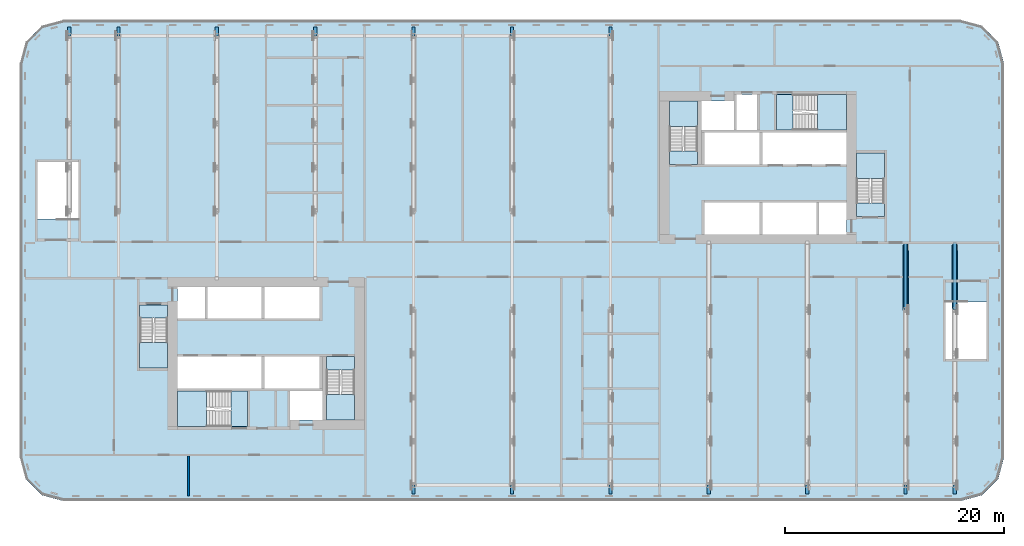
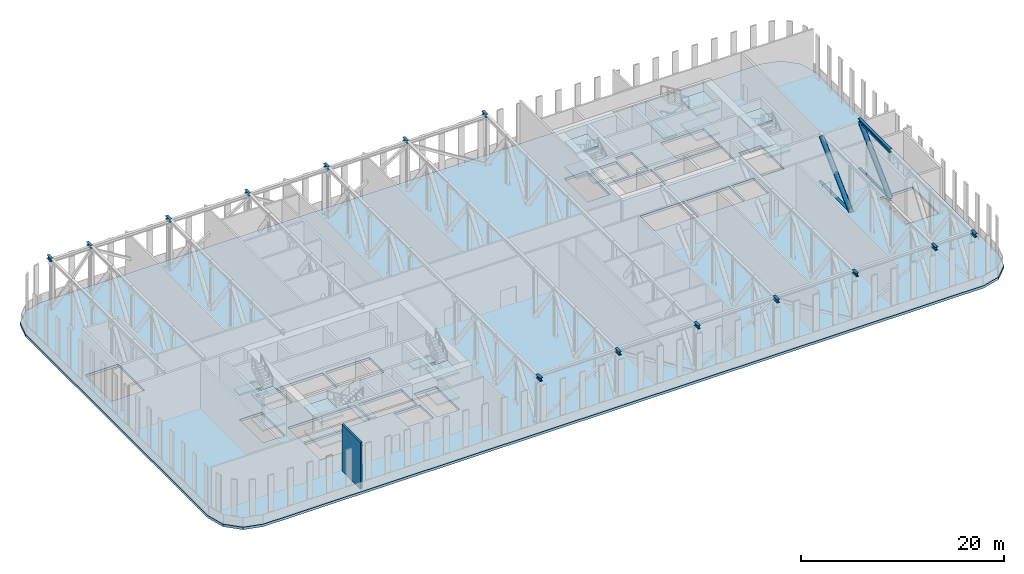
# One storey, part 5 of 26: 19 members, 19 slabs, 1 wall, 6 elements without a shape of their own.
"""IFC4 building model written with IfcOpenShell, lengths in metres."""

from ifc_helpers import new_model, si_unit, direction, frame, frame_2d, origin, origin_2d, place, context, subcontext, project, spatial, polyline, rectangle, hollow_circle, i_section, outline, extrude, material, layer, layer_set, material_profile, profile_set, type_object, element, aggregate, save


model = new_model("IFC4")

# Units and contexts
model_context = context("Model", 3, precision=1e-05, world=origin(), true_north=direction((0.0, 1.0)))
body_context = subcontext(model_context, "Body", "Model", "MODEL_VIEW")
ifc_project = project(units=[si_unit("LENGTHUNIT", "METRE"), si_unit("AREAUNIT", "SQUARE_METRE"), si_unit("VOLUMEUNIT", "CUBIC_METRE"), si_unit("PLANEANGLEUNIT", "RADIAN"), si_unit("MASSUNIT", "GRAM", prefix="KILO")], contexts=[model_context])

# Site, building, storey
site_placement = place(None, origin())
site = spatial("IfcSite", under=ifc_project, at=site_placement, CompositionType="ELEMENT")
building_placement = place(site_placement, origin())
building = spatial("IfcBuilding", under=site, at=building_placement, Name="Kajstack Hotel Tower", CompositionType="ELEMENT")
storey_placement = place(building_placement, frame((0.0, 0.0, 47.0)))
storey = spatial("IfcBuildingStorey", under=building, at=storey_placement, Name="L07", CompositionType="ELEMENT", Elevation=47.0)

# Members
ifc_material_1 = material(Name="Steel S355J2", Category="steel")
ifc_material_profile_1 = material_profile(ifc_material_1, i_section(OverallWidth=0.300048828125, OverallDepth=0.300048828125, WebThickness=0.010986328125, FlangeThickness=0.01904296875, FilletRadius=0.027099609375, at=origin_2d()), Name="HEB 300")
ifc_profile_set_1 = profile_set([ifc_material_profile_1], Name="Steel S355J2")
member_type_1 = type_object("IfcMemberType", Name="Transfer truss bottom chord BC1 HEB 300", PredefinedType="CHORD", material=ifc_profile_set_1)
for number, where, z_axis, x_axis, name in (
    (1, (36.0, -4.5, -0.14990234375), (0.0, 1.0, 0.0), (-1.0, 0.0, 0.0), "S-transfer-truss-L07-+36p0-1-bc11"),
    (2, (40.5, -4.5, -0.14990234375), (0.0, 1.0, 0.0), (-1.0, 0.0, 0.0), "S-transfer-truss-L07-+40p5-1-bc11"),
):
    element("IfcMember", number, at=place(storey_placement, frame(where, z_axis=z_axis, x_axis=x_axis)), inside=storey, type_object=member_type_1, Name=name, PredefinedType="CHORD", context=body_context, shape_type="SweptSolid", body=[
        extrude(i_section(OverallWidth=0.300048828125, OverallDepth=0.300048828125, WebThickness=0.010986328125, FlangeThickness=0.01904296875, FilletRadius=0.027099609375, at=origin_2d()), origin(), (0.0, 0.0, 1.0), 6.14990234375),
    ])
ifc_material_profile_2 = material_profile(ifc_material_1, hollow_circle(Radius=0.25390625, WallThickness=0.02490234375, at=origin_2d()), Name="CHS 508x25")
ifc_profile_set_2 = profile_set([ifc_material_profile_2], Name="Steel S355J2")
member_type_2 = type_object("IfcMemberType", Name="Transfer truss diagonal DG1 CHS 508x25", PredefinedType="BRACE", material=ifc_profile_set_2)
for number, where, z_axis, x_axis, name in (
    (3, (36.0, -4.5, 0.0), (0.0, 0.722373369749, 0.691503228249), (-1.0, 0.0, 0.0), "S-transfer-truss-L07-+36p0-1-dg21"),
    (4, (40.5, -4.5, 0.0), (0.0, 0.722373369749, 0.691503228249), (-1.0, 0.0, 0.0), "S-transfer-truss-L07-+40p5-1-dg21"),
):
    element("IfcMember", number, at=place(storey_placement, frame(where, z_axis=z_axis, x_axis=x_axis)), inside=storey, type_object=member_type_2, Name=name, PredefinedType="BRACE", context=body_context, shape_type="SweptSolid", body=[
        extrude(hollow_circle(Radius=0.25390625, WallThickness=0.02490234375, at=origin_2d()), origin(), (0.0, 0.0, 1.0), 8.098388671875),
    ])
ifc_material_profile_3 = material_profile(ifc_material_1, i_section(OverallWidth=0.300048828125, OverallDepth=0.39990234375, WebThickness=0.013427734375, FlangeThickness=0.02392578125, FilletRadius=0.027099609375, at=origin_2d()), Name="HEB 400")
ifc_profile_set_3 = profile_set([ifc_material_profile_3], Name="Steel S355J2")
member_type_3 = type_object("IfcMemberType", Name="Transfer truss top chord TC1 HEB 400", PredefinedType="CHORD", material=ifc_profile_set_3)
for number, where, z_axis, x_axis, name in (
    (5, (-40.5, 20.550048828125, 5.800048828125), (0.0, 1.0, 0.0), (-1.0, 0.0, 0.0), "S-transfer-truss-L07--40p5-1-tc6"),
    (6, (-36.0, 20.550048828125, 5.800048828125), (0.0, 1.0, 0.0), (-1.0, 0.0, 0.0), "S-transfer-truss-L07--36p0-1-tc6"),
    (7, (-27.0, 20.550048828125, 5.800048828125), (0.0, 1.0, 0.0), (-1.0, 0.0, 0.0), "S-outrigger-truss-L07--27p0-1-tc6"),
    (8, (-18.0, 20.550048828125, 5.800048828125), (0.0, 1.0, 0.0), (-1.0, 0.0, 0.0), "S-outrigger-truss-L07--18p0-1-tc6"),
    (9, (-9.0, -21.35009765625, 5.800048828125), (0.0, 1.0, 0.0), (-1.0, 0.0, 0.0), "S-transfer-truss-L07--9p0-1-tc1"),
    (10, (-9.0, 20.550048828125, 5.800048828125), (0.0, 1.0, 0.0), (-1.0, 0.0, 0.0), "S-transfer-truss-L07--9p0-1-tc11"),
    (11, (0.0, -21.35009765625, 5.800048828125), (0.0, 1.0, 0.0), (-1.0, 0.0, 0.0), "S-transfer-truss-L07-+0p0-1-tc1"),
    (12, (0.0, 20.550048828125, 5.800048828125), (0.0, 1.0, 0.0), (-1.0, 0.0, 0.0), "S-transfer-truss-L07-+0p0-1-tc11"),
    (13, (9.0, -21.35009765625, 5.800048828125), (0.0, 1.0, 0.0), (-1.0, 0.0, 0.0), "S-transfer-truss-L07-+9p0-1-tc1"),
    (14, (9.0, 20.550048828125, 5.800048828125), (0.0, 1.0, 0.0), (-1.0, 0.0, 0.0), "S-transfer-truss-L07-+9p0-1-tc11"),
    (15, (18.0, -21.35009765625, 5.800048828125), (0.0, 1.0, 0.0), (-1.0, 0.0, 0.0), "S-outrigger-truss-L07-+18p0-1-tc1"),
    (16, (27.0, -21.35009765625, 5.800048828125), (0.0, 1.0, 0.0), (-1.0, 0.0, 0.0), "S-outrigger-truss-L07-+27p0-1-tc1"),
    (17, (36.0, -21.35009765625, 5.800048828125), (0.0, 1.0, 0.0), (-1.0, 0.0, 0.0), "S-transfer-truss-L07-+36p0-1-tc1"),
    (18, (40.5, -21.35009765625, 5.800048828125), (0.0, 1.0, 0.0), (-1.0, 0.0, 0.0), "S-transfer-truss-L07-+40p5-1-tc1"),
):
    element("IfcMember", number, at=place(storey_placement, frame(where, z_axis=z_axis, x_axis=x_axis)), inside=storey, type_object=member_type_3, Name=name, PredefinedType="CHORD", context=body_context, shape_type="SweptSolid", body=[
        extrude(i_section(OverallWidth=0.300048828125, OverallDepth=0.39990234375, WebThickness=0.013427734375, FlangeThickness=0.02392578125, FilletRadius=0.027099609375, at=origin_2d()), origin(), (0.0, 0.0, 1.0), 0.800048828125),
    ])
member_placement = place(storey_placement, frame((40.5, -4.5, 5.800048828125), z_axis=(0.0, 1.0, 0.0), x_axis=(-1.0, 0.0, 0.0)))
element("IfcMember", 19, at=member_placement, inside=storey, type_object=member_type_3, Name="S-transfer-truss-L07-+40p5-1-tc6", PredefinedType="CHORD", context=body_context, shape_type="SweptSolid", body=[
    extrude(i_section(OverallWidth=0.300048828125, OverallDepth=0.39990234375, WebThickness=0.013427734375, FlangeThickness=0.02392578125, FilletRadius=0.027099609375, at=origin_2d()), origin(), (0.0, 0.0, 1.0), 6.14990234375),
])

# Slab
ifc_material_2 = material(Name="Concrete C50/60", Category="concrete")
ifc_layer_1 = layer(ifc_material_2, 0.300048828125)
ifc_layer_set_1 = layer_set([ifc_layer_1], Name="RC slab 300 C50/60 band")
slab_type_1 = type_object("IfcSlabType", Name="RC slab 300 C50/60 band", PredefinedType="FLOOR", material=ifc_layer_set_1)
slab_1_placement = place(storey_placement, frame((0.0, 0.0, -0.300048828125)))
element("IfcSlab", 20, at=slab_1_placement, inside=storey, type_object=slab_type_1, Name="S-slab-L07", PredefinedType="FLOOR", context=body_context, shape_type="SweptSolid", body=[
    extrude(outline(polyline([(-45.0, -18.0), (-44.464111328125, -20.0), (-43.0, -21.464111328125), (-41.0, -22.0), (41.0, -22.0), (43.0, -21.464111328125), (44.464111328125, -20.0), (45.0, -18.0), (45.0, 18.0), (44.464111328125, 20.0), (43.0, 21.464111328125), (41.0, 22.0), (-41.0, 22.0), (-43.0, 21.464111328125), (-44.464111328125, 20.0), (-45.0, 18.0), (-45.0, -18.0)]), holes=[polyline([(-30.60009765625, -11.699951171875), (-30.60009765625, -8.800048828125), (-22.89990234375, -8.800048828125), (-22.89990234375, -11.699951171875), (-30.60009765625, -11.699951171875)]), polyline([(-22.64990234375, -11.699951171875), (-22.64990234375, -8.800048828125), (-17.60009765625, -8.800048828125), (-17.60009765625, -11.699951171875), (-22.64990234375, -11.699951171875)]), polyline([(-27.85009765625, -5.300048828125), (-27.85009765625, -2.39990234375), (-22.89990234375, -2.39990234375), (-22.89990234375, -5.300048828125), (-27.85009765625, -5.300048828125)]), polyline([(-22.64990234375, -5.300048828125), (-22.64990234375, -2.39990234375), (-17.60009765625, -2.39990234375), (-17.60009765625, -5.300048828125), (-22.64990234375, -5.300048828125)]), polyline([(-20.300048828125, -14.60009765625), (-17.35009765625, -14.60009765625), (-17.35009765625, -11.949951171875), (-20.300048828125, -11.949951171875), (-20.300048828125, -14.60009765625)]), polyline([(-30.60009765625, -5.300048828125), (-28.10009765625, -5.300048828125), (-28.10009765625, -2.39990234375), (-30.60009765625, -2.39990234375), (-30.60009765625, -5.300048828125)]), polyline([(22.89990234375, 8.800048828125), (22.89990234375, 11.699951171875), (30.60009765625, 11.699951171875), (30.60009765625, 8.800048828125), (22.89990234375, 8.800048828125)]), polyline([(17.60009765625, 8.800048828125), (17.60009765625, 11.699951171875), (22.64990234375, 11.699951171875), (22.64990234375, 8.800048828125), (17.60009765625, 8.800048828125)]), polyline([(22.89990234375, 2.39990234375), (22.89990234375, 5.300048828125), (27.85009765625, 5.300048828125), (27.85009765625, 2.39990234375), (22.89990234375, 2.39990234375)]), polyline([(17.60009765625, 2.39990234375), (17.60009765625, 5.300048828125), (22.64990234375, 5.300048828125), (22.64990234375, 2.39990234375), (17.60009765625, 2.39990234375)]), polyline([(20.300048828125, 14.60009765625), (17.35009765625, 14.60009765625), (17.35009765625, 11.949951171875), (20.300048828125, 11.949951171875), (20.300048828125, 14.60009765625)]), polyline([(30.60009765625, 5.300048828125), (28.10009765625, 5.300048828125), (28.10009765625, 2.39990234375), (30.60009765625, 2.39990234375), (30.60009765625, 5.300048828125)]), polyline([(-34.050048828125, -9.85009765625), (-31.5, -9.85009765625), (-31.5, -5.25), (-34.050048828125, -5.25), (-34.050048828125, -9.85009765625)]), polyline([(-16.949951171875, -14.60009765625), (-14.39990234375, -14.60009765625), (-14.39990234375, -10.0), (-16.949951171875, -10.0), (-16.949951171875, -14.60009765625)]), polyline([(-30.60009765625, -15.199951171875), (-25.699951171875, -15.199951171875), (-25.699951171875, -11.949951171875), (-30.60009765625, -11.949951171875), (-30.60009765625, -15.199951171875)]), polyline([(34.050048828125, 9.85009765625), (31.5, 9.85009765625), (31.5, 5.25), (34.050048828125, 5.25), (34.050048828125, 9.85009765625)]), polyline([(16.949951171875, 14.60009765625), (14.39990234375, 14.60009765625), (14.39990234375, 10.0), (16.949951171875, 10.0), (16.949951171875, 14.60009765625)]), polyline([(30.60009765625, 15.199951171875), (25.699951171875, 15.199951171875), (25.699951171875, 11.949951171875), (30.60009765625, 11.949951171875), (30.60009765625, 15.199951171875)]), polyline([(-43.39990234375, 3.800048828125), (-39.64990234375, 3.800048828125), (-39.64990234375, 9.0), (-43.39990234375, 9.0), (-43.39990234375, 3.800048828125)]), polyline([(39.64990234375, -9.0), (43.39990234375, -9.0), (43.39990234375, -3.800048828125), (39.64990234375, -3.800048828125), (39.64990234375, -9.0)]), polyline([(22.425048828125, 15.199951171875), (22.425048828125, 11.949951171875), (20.550048828125, 11.949951171875), (20.550048828125, 15.199951171875), (22.425048828125, 15.199951171875)])]), origin(), (0.0, 0.0, 1.0), 0.300048828125),
])

# Stair, slabs
ifc_material_3 = material(Name="Concrete C40/50", Category="concrete")
stair_type_1 = type_object("IfcStairType", Name="Exit stair 1200", PredefinedType="HALF_TURN_STAIR", material=ifc_material_3)
stair_1_placement = place(storey_placement, origin())
stair_1 = element("IfcStair", 21, at=stair_1_placement, inside=storey, type_object=stair_type_1, Name="L07 stair W1", PredefinedType="HALF_TURN_STAIR")
ifc_layer_2 = layer(ifc_material_3, 0.199951171875)
ifc_layer_set_2 = layer_set([ifc_layer_2], Name="Stair landing 200")
slab_type_2 = type_object("IfcSlabType", Name="Stair landing 200", PredefinedType="LANDING", material=ifc_layer_set_2)
slab_2_placement = place(storey_placement, frame((0.0, 0.0, 1.300048828125)))
slab_2 = element("IfcSlab", 22, at=slab_2_placement, type_object=slab_type_2, Name="W1 landing 1", PredefinedType="LANDING", context=body_context, shape_type="SweptSolid", body=[
    extrude(outline(polyline([(-34.050048828125, -7.489990234375), (-34.050048828125, -9.85009765625), (-31.5, -9.85009765625), (-31.5, -7.489990234375), (-34.050048828125, -7.489990234375)])), origin(), (0.0, 0.0, 1.0), 0.199951171875),
])
slab_3_placement = place(storey_placement, frame((0.0, 0.0, 2.800048828125)))
slab_3 = element("IfcSlab", 23, at=slab_3_placement, type_object=slab_type_2, Name="W1 landing 2", PredefinedType="LANDING", context=body_context, shape_type="SweptSolid", body=[
    extrude(outline(polyline([(-34.050048828125, -4.050048828125), (-34.050048828125, -5.25), (-31.5, -5.25), (-31.5, -4.050048828125), (-34.050048828125, -4.050048828125)])), origin(), (0.0, 0.0, 1.0), 0.199951171875),
])
slab_4_placement = place(storey_placement, frame((0.0, 0.0, 4.300048828125)))
slab_4 = element("IfcSlab", 24, at=slab_4_placement, type_object=slab_type_2, Name="W1 landing 3", PredefinedType="LANDING", context=body_context, shape_type="SweptSolid", body=[
    extrude(outline(polyline([(-34.050048828125, -7.489990234375), (-34.050048828125, -9.85009765625), (-31.5, -9.85009765625), (-31.5, -7.489990234375), (-34.050048828125, -7.489990234375)])), origin(), (0.0, 0.0, 1.0), 0.199951171875),
])
aggregate(stair_1, [slab_2, slab_3, slab_4])

stair_2_placement = place(storey_placement, origin())
stair_2 = element("IfcStair", 25, at=stair_2_placement, inside=storey, type_object=stair_type_1, Name="L07 stair W2", PredefinedType="HALF_TURN_STAIR")
slab_5_placement = place(storey_placement, frame((0.0, 0.0, 1.300048828125)))
slab_5 = element("IfcSlab", 26, at=slab_5_placement, type_object=slab_type_2, Name="W2 landing 1", PredefinedType="LANDING", context=body_context, shape_type="SweptSolid", body=[
    extrude(outline(polyline([(-16.949951171875, -12.239990234375), (-16.949951171875, -14.60009765625), (-14.39990234375, -14.60009765625), (-14.39990234375, -12.239990234375), (-16.949951171875, -12.239990234375)])), origin(), (0.0, 0.0, 1.0), 0.199951171875),
])
slab_6_placement = place(storey_placement, frame((0.0, 0.0, 2.800048828125)))
slab_6 = element("IfcSlab", 27, at=slab_6_placement, type_object=slab_type_2, Name="W2 landing 2", PredefinedType="LANDING", context=body_context, shape_type="SweptSolid", body=[
    extrude(outline(polyline([(-16.949951171875, -8.800048828125), (-16.949951171875, -10.0), (-14.39990234375, -10.0), (-14.39990234375, -8.800048828125), (-16.949951171875, -8.800048828125)])), origin(), (0.0, 0.0, 1.0), 0.199951171875),
])
slab_7_placement = place(storey_placement, frame((0.0, 0.0, 4.300048828125)))
slab_7 = element("IfcSlab", 28, at=slab_7_placement, type_object=slab_type_2, Name="W2 landing 3", PredefinedType="LANDING", context=body_context, shape_type="SweptSolid", body=[
    extrude(outline(polyline([(-16.949951171875, -12.239990234375), (-16.949951171875, -14.60009765625), (-14.39990234375, -14.60009765625), (-14.39990234375, -12.239990234375), (-16.949951171875, -12.239990234375)])), origin(), (0.0, 0.0, 1.0), 0.199951171875),
])
aggregate(stair_2, [slab_5, slab_6, slab_7])

stair_type_2 = type_object("IfcStairType", Name="Exit stair 1500", PredefinedType="HALF_TURN_STAIR", material=ifc_material_3)
stair_3_placement = place(storey_placement, origin())
stair_3 = element("IfcStair", 29, at=stair_3_placement, inside=storey, type_object=stair_type_2, Name="L07 stair W3", PredefinedType="HALF_TURN_STAIR")
slab_8_placement = place(storey_placement, frame((0.0, 0.0, 1.300048828125)))
slab_8 = element("IfcSlab", 30, at=slab_8_placement, type_object=slab_type_2, Name="W3 landing 1", PredefinedType="LANDING", context=body_context, shape_type="SweptSolid", body=[
    extrude(outline(polyline([(-27.93994140625, -11.949951171875), (-30.60009765625, -11.949951171875), (-30.60009765625, -15.199951171875), (-27.93994140625, -15.199951171875), (-27.93994140625, -11.949951171875)])), origin(), (0.0, 0.0, 1.0), 0.199951171875),
])
slab_9_placement = place(storey_placement, frame((0.0, 0.0, 2.800048828125)))
slab_9 = element("IfcSlab", 31, at=slab_9_placement, type_object=slab_type_2, Name="W3 landing 2", PredefinedType="LANDING", context=body_context, shape_type="SweptSolid", body=[
    extrude(outline(polyline([(-24.199951171875, -11.949951171875), (-25.699951171875, -11.949951171875), (-25.699951171875, -15.199951171875), (-24.199951171875, -15.199951171875), (-24.199951171875, -11.949951171875)])), origin(), (0.0, 0.0, 1.0), 0.199951171875),
])
slab_10_placement = place(storey_placement, frame((0.0, 0.0, 4.300048828125)))
slab_10 = element("IfcSlab", 32, at=slab_10_placement, type_object=slab_type_2, Name="W3 landing 3", PredefinedType="LANDING", context=body_context, shape_type="SweptSolid", body=[
    extrude(outline(polyline([(-27.93994140625, -11.949951171875), (-30.60009765625, -11.949951171875), (-30.60009765625, -15.199951171875), (-27.93994140625, -15.199951171875), (-27.93994140625, -11.949951171875)])), origin(), (0.0, 0.0, 1.0), 0.199951171875),
])
aggregate(stair_3, [slab_8, slab_9, slab_10])

stair_4_placement = place(storey_placement, origin())
stair_4 = element("IfcStair", 33, at=stair_4_placement, inside=storey, type_object=stair_type_1, Name="L07 stair E1", PredefinedType="HALF_TURN_STAIR")
slab_11_placement = place(storey_placement, frame((0.0, 0.0, 1.300048828125)))
slab_11 = element("IfcSlab", 34, at=slab_11_placement, type_object=slab_type_2, Name="E1 landing 1", PredefinedType="LANDING", context=body_context, shape_type="SweptSolid", body=[
    extrude(outline(polyline([(34.050048828125, 7.489990234375), (34.050048828125, 9.85009765625), (31.5, 9.85009765625), (31.5, 7.489990234375), (34.050048828125, 7.489990234375)])), origin(), (0.0, 0.0, 1.0), 0.199951171875),
])
slab_12_placement = place(storey_placement, frame((0.0, 0.0, 2.800048828125)))
slab_12 = element("IfcSlab", 35, at=slab_12_placement, type_object=slab_type_2, Name="E1 landing 2", PredefinedType="LANDING", context=body_context, shape_type="SweptSolid", body=[
    extrude(outline(polyline([(34.050048828125, 4.050048828125), (34.050048828125, 5.25), (31.5, 5.25), (31.5, 4.050048828125), (34.050048828125, 4.050048828125)])), origin(), (0.0, 0.0, 1.0), 0.199951171875),
])
slab_13_placement = place(storey_placement, frame((0.0, 0.0, 4.300048828125)))
slab_13 = element("IfcSlab", 36, at=slab_13_placement, type_object=slab_type_2, Name="E1 landing 3", PredefinedType="LANDING", context=body_context, shape_type="SweptSolid", body=[
    extrude(outline(polyline([(34.050048828125, 7.489990234375), (34.050048828125, 9.85009765625), (31.5, 9.85009765625), (31.5, 7.489990234375), (34.050048828125, 7.489990234375)])), origin(), (0.0, 0.0, 1.0), 0.199951171875),
])
aggregate(stair_4, [slab_11, slab_12, slab_13])

stair_5_placement = place(storey_placement, origin())
stair_5 = element("IfcStair", 37, at=stair_5_placement, inside=storey, type_object=stair_type_1, Name="L07 stair E2", PredefinedType="HALF_TURN_STAIR")
slab_14_placement = place(storey_placement, frame((0.0, 0.0, 1.300048828125)))
slab_14 = element("IfcSlab", 38, at=slab_14_placement, type_object=slab_type_2, Name="E2 landing 1", PredefinedType="LANDING", context=body_context, shape_type="SweptSolid", body=[
    extrude(outline(polyline([(16.949951171875, 12.239990234375), (16.949951171875, 14.60009765625), (14.39990234375, 14.60009765625), (14.39990234375, 12.239990234375), (16.949951171875, 12.239990234375)])), origin(), (0.0, 0.0, 1.0), 0.199951171875),
])
slab_15_placement = place(storey_placement, frame((0.0, 0.0, 2.800048828125)))
slab_15 = element("IfcSlab", 39, at=slab_15_placement, type_object=slab_type_2, Name="E2 landing 2", PredefinedType="LANDING", context=body_context, shape_type="SweptSolid", body=[
    extrude(outline(polyline([(16.949951171875, 8.800048828125), (16.949951171875, 10.0), (14.39990234375, 10.0), (14.39990234375, 8.800048828125), (16.949951171875, 8.800048828125)])), origin(), (0.0, 0.0, 1.0), 0.199951171875),
])
slab_16_placement = place(storey_placement, frame((0.0, 0.0, 4.300048828125)))
slab_16 = element("IfcSlab", 40, at=slab_16_placement, type_object=slab_type_2, Name="E2 landing 3", PredefinedType="LANDING", context=body_context, shape_type="SweptSolid", body=[
    extrude(outline(polyline([(16.949951171875, 12.239990234375), (16.949951171875, 14.60009765625), (14.39990234375, 14.60009765625), (14.39990234375, 12.239990234375), (16.949951171875, 12.239990234375)])), origin(), (0.0, 0.0, 1.0), 0.199951171875),
])
aggregate(stair_5, [slab_14, slab_15, slab_16])

stair_6_placement = place(storey_placement, origin())
stair_6 = element("IfcStair", 41, at=stair_6_placement, inside=storey, type_object=stair_type_2, Name="L07 stair E3", PredefinedType="HALF_TURN_STAIR")
slab_17_placement = place(storey_placement, frame((0.0, 0.0, 1.300048828125)))
slab_17 = element("IfcSlab", 42, at=slab_17_placement, type_object=slab_type_2, Name="E3 landing 1", PredefinedType="LANDING", context=body_context, shape_type="SweptSolid", body=[
    extrude(outline(polyline([(27.93994140625, 11.949951171875), (30.60009765625, 11.949951171875), (30.60009765625, 15.199951171875), (27.93994140625, 15.199951171875), (27.93994140625, 11.949951171875)])), origin(), (0.0, 0.0, 1.0), 0.199951171875),
])
slab_18_placement = place(storey_placement, frame((0.0, 0.0, 2.800048828125)))
slab_18 = element("IfcSlab", 43, at=slab_18_placement, type_object=slab_type_2, Name="E3 landing 2", PredefinedType="LANDING", context=body_context, shape_type="SweptSolid", body=[
    extrude(outline(polyline([(24.199951171875, 11.949951171875), (25.699951171875, 11.949951171875), (25.699951171875, 15.199951171875), (24.199951171875, 15.199951171875), (24.199951171875, 11.949951171875)])), origin(), (0.0, 0.0, 1.0), 0.199951171875),
])
slab_19_placement = place(storey_placement, frame((0.0, 0.0, 4.300048828125)))
slab_19 = element("IfcSlab", 44, at=slab_19_placement, type_object=slab_type_2, Name="E3 landing 3", PredefinedType="LANDING", context=body_context, shape_type="SweptSolid", body=[
    extrude(outline(polyline([(27.93994140625, 11.949951171875), (30.60009765625, 11.949951171875), (30.60009765625, 15.199951171875), (27.93994140625, 15.199951171875), (27.93994140625, 11.949951171875)])), origin(), (0.0, 0.0, 1.0), 0.199951171875),
])
aggregate(stair_6, [slab_17, slab_18, slab_19])

# Wall
ifc_material_4 = material(Name="Gypsum board on steel studs, mineral wool", Category="steel")
ifc_layer_3 = layer(ifc_material_4, 0.199951171875)
ifc_layer_set_3 = layer_set([ifc_layer_3], Name="Service partition 200")
wall_type = type_object("IfcWallType", Name="Service partition 200", PredefinedType="PARTITIONING", material=ifc_layer_set_3)
wall_placement = place(storey_placement, frame((-29.60009765625, -21.550048828125, 0.0), z_axis=(0.0, 0.0, 1.0), x_axis=(0.0, 1.0, 0.0)))
element("IfcWall", 45, at=wall_placement, inside=storey, type_object=wall_type, Name="Partition W SLP0", PredefinedType="PARTITIONING", context=body_context, shape_type="SweptSolid", body=[
    extrude(rectangle(XDim=3.650146484375, YDim=0.199951171875, at=frame_2d((1.8251953125, 0.0))), origin(), (0.0, 0.0, 1.0), 5.60009765625),
])

save(model, "model.ifc")
